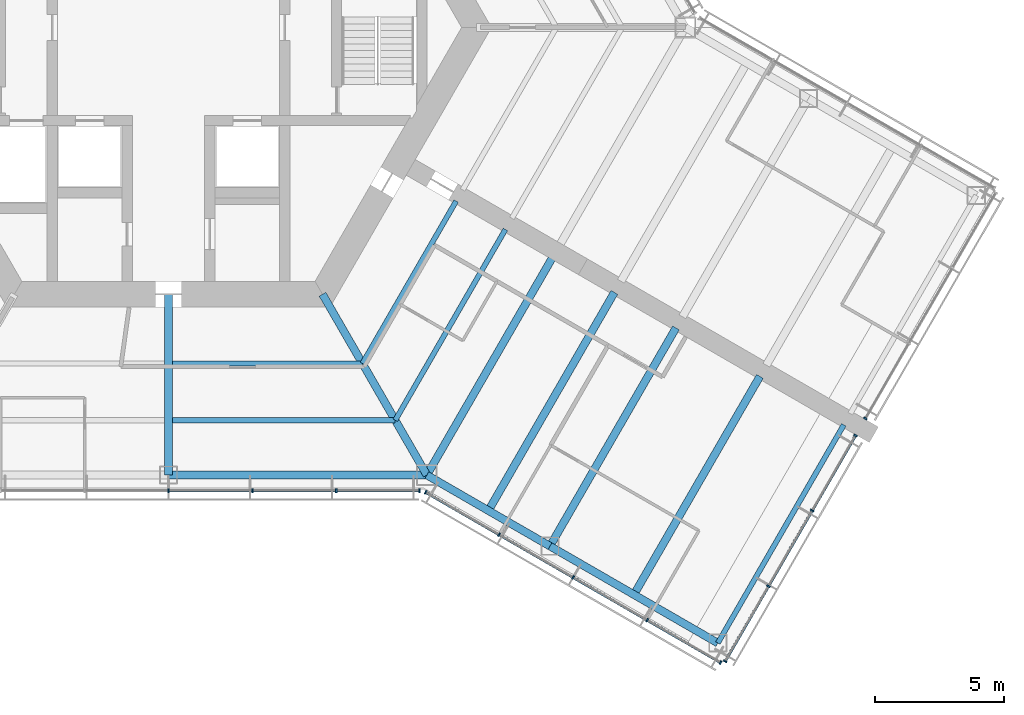
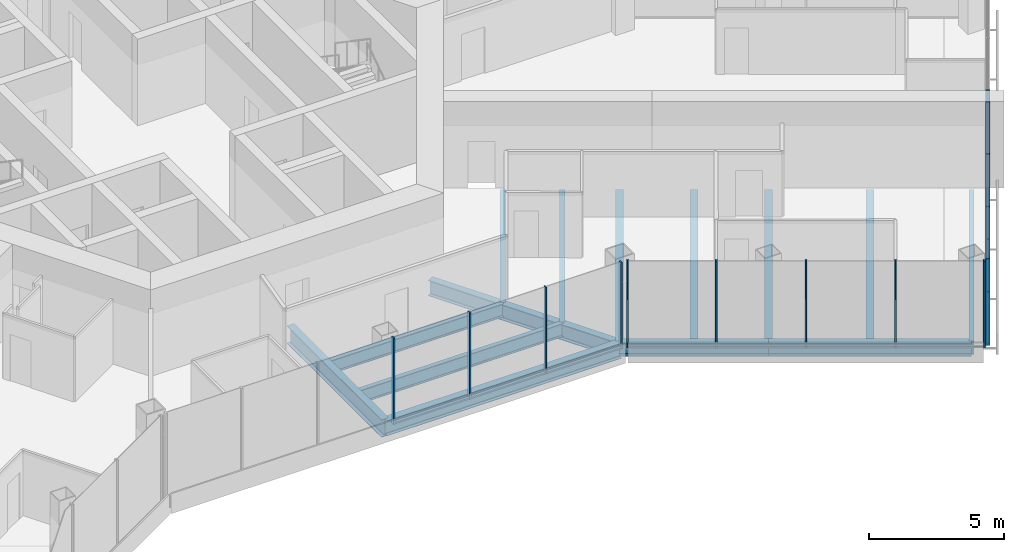
# One storey, part 5 of 18: 24 members, 14 beams, 4 elements without a shape of their own.
"""IFC4 building model written with IfcOpenShell, lengths in metres."""

import ifcopenshell
import ifcopenshell.guid

model = None  # the IFC model being written
_history = None  # IfcOwnerHistory: only IFC2X3 demands one
_inside = {}  # id of a spatial element -> (the spatial element, [elements in it])
_under = {}  # id of a project, library or spatial element -> (it, [spatial elements below it])
_declared = {}  # id of a project -> (the project, [libraries it declares])
_typed = {}  # id of a type object -> (the type object, [elements of that type])
_made_of = {}  # id of a material, layer set ... -> (it, [elements and type objects made of it])


def new_model(schema):
    """Start an empty IFC model of exactly this schema.

    Asked for "IFC4X3", IfcOpenShell would pick the latest addendum, in which some entities
    have other attributes; the version numbers below select the first issue.
    IFC2X3 requires an IfcOwnerHistory on every rooted entity: one is made here for all.
    """
    global model, _history
    if schema == "IFC4X3":
        model = ifcopenshell.file(schema_version=(4, 3, 0, 0))
    else:
        model = ifcopenshell.file(schema=schema)
    _inside.clear()
    _under.clear()
    _declared.clear()
    _typed.clear()
    _made_of.clear()
    _history = None
    if model.schema == "IFC2X3":
        org = make("IfcOrganization", Name="unknown")
        user = make(
            "IfcPersonAndOrganization",
            ThePerson=make("IfcPerson", FamilyName="unknown"),
            TheOrganization=org,
        )
        app = make(
            "IfcApplication",
            ApplicationDeveloper=org,
            Version="unknown",
            ApplicationFullName="unknown",
            ApplicationIdentifier="unknown",
        )
        _history = make(
            "IfcOwnerHistory",
            OwningUser=user,
            OwningApplication=app,
            ChangeAction="ADDED",
            CreationDate=0,
        )
    return model


def make(cls, **values):
    """One entity of the class cls with the attributes given. An attribute that is None is left unset."""
    return model.create_entity(
        cls, **{name: value for name, value in values.items() if value is not None}
    )


def rooted(cls, **values):
    """An entity with a GlobalId (a new one), such as an element, a storey or a relation."""
    return make(cls, GlobalId=ifcopenshell.guid.new(), OwnerHistory=_history, **values)


def si_unit(unit_type, name, prefix=None):
    """IfcSIUnit, for example si_unit("LENGTHUNIT", "METRE", prefix="MILLI")."""
    return make("IfcSIUnit", UnitType=unit_type, Prefix=prefix, Name=name)


def assignment(units):
    """IfcUnitAssignment: the units of a project."""
    return None if units is None else make("IfcUnitAssignment", Units=units)


def point(xyz):
    """IfcCartesianPoint."""
    return None if xyz is None else make("IfcCartesianPoint", Coordinates=xyz)


def direction(xyz):
    """IfcDirection."""
    return None if xyz is None else make("IfcDirection", DirectionRatios=xyz)


def frame(location, z_axis=None, x_axis=None):
    """IfcAxis2Placement3D, a coordinate frame: its origin and axes. An axis left out is left unset."""
    return make(
        "IfcAxis2Placement3D",
        Location=point(location),
        Axis=direction(z_axis),
        RefDirection=direction(x_axis),
    )


def frame_2d(location, x_axis=None):
    """IfcAxis2Placement2D, a coordinate frame in the plane: its origin and x axis."""
    return make(
        "IfcAxis2Placement2D", Location=point(location), RefDirection=direction(x_axis)
    )


def origin():
    """The frame at (0, 0, 0) with its axes left unset."""
    return frame((0.0, 0.0, 0.0))


def origin_2d():
    """The frame at (0, 0) in the plane with its x axis left unset."""
    return frame_2d((0.0, 0.0))


def place(relative_to, where):
    """IfcLocalPlacement: puts the frame where relative to a parent placement (None: the world)."""
    return make(
        "IfcLocalPlacement", PlacementRelTo=relative_to, RelativePlacement=where
    )


def context(
    kind, dimensions, precision=None, world=None, true_north=None, identifier=None
):
    """IfcGeometricRepresentationContext, for example the 3D "Model" context."""
    return make(
        "IfcGeometricRepresentationContext",
        ContextIdentifier=identifier,
        ContextType=kind,
        CoordinateSpaceDimension=dimensions,
        Precision=precision,
        WorldCoordinateSystem=world,
        TrueNorth=true_north,
    )


def subcontext(parent, identifier, kind, view, scale=None):
    """IfcGeometricRepresentationSubContext, for example "Body" below "Model"."""
    return make(
        "IfcGeometricRepresentationSubContext",
        ContextIdentifier=identifier,
        ContextType=kind,
        ParentContext=parent,
        TargetScale=scale,
        TargetView=view,
    )


def project(units=None, contexts=None):
    """IfcProject with its units and contexts."""
    return rooted(
        "IfcProject",
        Name="project",
        RepresentationContexts=contexts,
        UnitsInContext=assignment(units),
    )


def spatial(cls, under=None, at=None, **own):
    """A site, building, storey or space (cls), placed at a placement, below another one or the project."""
    s = rooted(cls, ObjectPlacement=at, **own)
    if under is not None:
        _under.setdefault(under.id(), (under, []))[1].append(s)
    return s


def profile(cls, at=None, kind="AREA", **sizes):
    """A parametric profile (cls). Its sizes go by their IFC names, for example OverallWidth=200.0."""
    return make(cls, ProfileType=kind, Position=at, **sizes)


def rectangle(**sizes):
    """IfcRectangleProfileDef."""
    return profile("IfcRectangleProfileDef", **sizes)


def i_section(**sizes):
    """IfcIShapeProfileDef."""
    return profile("IfcIShapeProfileDef", **sizes)


def extrude(swept, where, along, depth):
    """IfcExtrudedAreaSolid: the profile swept, set in the frame where, extruded along a direction by depth."""
    return make(
        "IfcExtrudedAreaSolid",
        SweptArea=swept,
        Position=where,
        ExtrudedDirection=direction(along),
        Depth=depth,
    )


def shape(context_of_items, identifier, shape_type, items):
    """IfcShapeRepresentation: the items that make up one representation, for example the "Body"."""
    return make(
        "IfcShapeRepresentation",
        ContextOfItems=context_of_items,
        RepresentationIdentifier=identifier,
        RepresentationType=shape_type,
        Items=items,
    )


def material(Name=None, Category=None):
    """IfcMaterial."""
    return make("IfcMaterial", Name=Name, Category=Category)


def material_profile(
    of_material, cross_section, Name=None, Category=None, Priority=None
):
    """IfcMaterialProfile: a cross section and its material."""
    return make(
        "IfcMaterialProfile",
        Name=Name,
        Material=of_material,
        Profile=cross_section,
        Priority=Priority,
        Category=Category,
    )


def profile_set(profiles, Name=None, composite=None):
    """IfcMaterialProfileSet."""
    return make(
        "IfcMaterialProfileSet",
        Name=Name,
        MaterialProfiles=profiles,
        CompositeProfile=composite,
    )


def made_of(thing, what):
    """Note that an element or type object is made of a material, layer set ...; save() writes the relation."""
    if what is not None:
        _made_of.setdefault(what.id(), (what, []))[1].append(thing)
    return thing


def type_object(cls, material=None, **own):
    """A type object (cls), such as IfcWallType, which elements share."""
    return made_of(rooted(cls, **own), material)


def element(
    cls,
    number,
    at=None,
    inside=None,
    cuts=None,
    type_object=None,
    material=None,
    context=None,
    identifier="Body",
    shape_type=None,
    held_by="IfcProductDefinitionShape",
    body=None,
    shapes=None,
    **own,
):
    """One element of the class cls, such as IfcWall. Its Tag is "e" and its number.

    at: its placement. inside: the storey or other place that contains it. cuts: it is an
    opening in that element (IfcRelVoidsElement). A single representation is given by context,
    identifier, shape_type and body (its items); several are given by shapes. held_by: the class
    of the entity that holds the representations. save() writes the other relations.
    """
    e = rooted(cls, Tag="e%d" % number, ObjectPlacement=at, **own)
    if body is not None:
        shapes = [shape(context, identifier, shape_type, body)]
    if shapes is not None:
        e.Representation = make(held_by, Representations=shapes)
    if inside is not None:
        _inside.setdefault(inside.id(), (inside, []))[1].append(e)
    if cuts is not None:
        rooted(
            "IfcRelVoidsElement", RelatingBuildingElement=cuts, RelatedOpeningElement=e
        )
    if type_object is not None:
        _typed.setdefault(type_object.id(), (type_object, []))[1].append(e)
    return made_of(e, material)


def aggregate(whole, parts):
    """IfcRelAggregates: a whole, such as a stair, and the parts it consists of."""
    return rooted("IfcRelAggregates", RelatingObject=whole, RelatedObjects=parts)


def save(model, path):
    """Write the relations noted so far, then the file.

    IfcRelAggregates (storeys below a building ...), IfcRelContainedInSpatialStructure (elements
    in a storey), IfcRelDefinesByType, IfcRelAssociatesMaterial and IfcRelDeclares: one each for
    every whole, place, type object, material and project.
    """
    for whole, parts in _under.values():
        aggregate(whole, parts)
    for where, things in _inside.values():
        rooted(
            "IfcRelContainedInSpatialStructure",
            RelatedElements=things,
            RelatingStructure=where,
        )
    for kind, things in _typed.values():
        rooted("IfcRelDefinesByType", RelatedObjects=things, RelatingType=kind)
    for what, things in _made_of.values():
        rooted("IfcRelAssociatesMaterial", RelatedObjects=things, RelatingMaterial=what)
    for by, libraries in _declared.values():
        rooted("IfcRelDeclares", RelatingContext=by, RelatedDefinitions=libraries)
    model.write(path)


model = new_model("IFC4")

# Units and contexts
model_context = context("Model", 3, precision=1e-05, world=origin(), true_north=direction((0.0, 1.0)))
body_context = subcontext(model_context, "Body", "Model", "MODEL_VIEW")
ifc_project = project(units=[si_unit("LENGTHUNIT", "METRE"), si_unit("AREAUNIT", "SQUARE_METRE"), si_unit("VOLUMEUNIT", "CUBIC_METRE"), si_unit("PLANEANGLEUNIT", "RADIAN"), si_unit("MASSUNIT", "GRAM", prefix="KILO")], contexts=[model_context])

# Site, building, storey
site_placement = place(None, origin())
site = spatial("IfcSite", under=ifc_project, at=site_placement, CompositionType="ELEMENT")
building_placement = place(site_placement, origin())
building = spatial("IfcBuilding", under=site, at=building_placement, Name="Kasaneha Research Tower", CompositionType="ELEMENT")
storey_placement = place(building_placement, frame((0.0, 0.0, 140.89990234375)))
storey = spatial("IfcBuildingStorey", under=building, at=storey_placement, Name="L35", CompositionType="ELEMENT", Elevation=140.89990234375)

# Beams
ifc_material_1 = material(Name="Steel SN490B", Category="steel")
ifc_material_profile_1 = material_profile(ifc_material_1, i_section(OverallWidth=0.199951171875, OverallDepth=0.60009765625, WebThickness=0.010986328125, FlangeThickness=0.01708984375, FilletRadius=0.012939453125, at=origin_2d()), Name="H-600x200x11x17")
ifc_profile_set_1 = profile_set([ifc_material_profile_1], Name="Steel SN490B")
beam_type_1 = type_object("IfcBeamType", Name="B1-3 secondary beam H-600x200x11x17", PredefinedType="JOIST", material=ifc_profile_set_1)
beam_1_placement = place(storey_placement, frame((7.505615234375, -13.0, -0.449951171875), z_axis=(-1.0, 0.0, 0.0), x_axis=(0.0, -1.0, 0.0)))
element("IfcBeam", 1, at=beam_1_placement, inside=storey, type_object=beam_type_1, Name="Secondary beam RS270R1 L35", PredefinedType="JOIST", context=body_context, shape_type="SweptSolid", body=[
    extrude(i_section(OverallWidth=0.199951171875, OverallDepth=0.60009765625, WebThickness=0.010986328125, FlangeThickness=0.01708984375, FilletRadius=0.012939453125, at=origin_2d()), origin(), (0.0, 0.0, 1.0), 7.355712890625),
])
beam_2_placement = place(storey_placement, frame((8.775634765625, -15.199951171875, -0.449951171875), z_axis=(-1.0, 0.0, 0.0), x_axis=(0.0, -1.0, 0.0)))
element("IfcBeam", 2, at=beam_2_placement, inside=storey, type_object=beam_type_1, Name="Secondary beam RS270R2 L35", PredefinedType="JOIST", context=body_context, shape_type="SweptSolid", body=[
    extrude(i_section(OverallWidth=0.199951171875, OverallDepth=0.60009765625, WebThickness=0.010986328125, FlangeThickness=0.01708984375, FilletRadius=0.012939453125, at=origin_2d()), origin(), (0.0, 0.0, 1.0), 8.625732421875),
])
beam_3_placement = place(storey_placement, frame((7.505615234375, -13.0, -0.449951171875), z_axis=(0.499993340521, 0.866029248602, 0.0), x_axis=(-0.866029248602, 0.499993340521, 0.0)))
element("IfcBeam", 3, at=beam_3_placement, inside=storey, type_object=beam_type_1, Name="Secondary beam RS330L1 L35", PredefinedType="JOIST", context=body_context, shape_type="SweptSolid", body=[
    extrude(i_section(OverallWidth=0.199951171875, OverallDepth=0.60009765625, WebThickness=0.010986328125, FlangeThickness=0.01708984375, FilletRadius=0.012939453125, at=origin_2d()), origin(), (0.0, 0.0, 1.0), 7.25537109375),
])
beam_4_placement = place(storey_placement, frame((8.775634765625, -15.199951171875, -0.449951171875), z_axis=(0.500004205306, 0.866022975836, 0.0), x_axis=(-0.866022975836, 0.500004205306, 0.0)))
element("IfcBeam", 4, at=beam_4_placement, inside=storey, type_object=beam_type_1, Name="Secondary beam RS330L2 L35", PredefinedType="JOIST", context=body_context, shape_type="SweptSolid", body=[
    extrude(i_section(OverallWidth=0.199951171875, OverallDepth=0.60009765625, WebThickness=0.010986328125, FlangeThickness=0.01708984375, FilletRadius=0.012939453125, at=origin_2d()), origin(), (0.0, 0.0, 1.0), 8.52587890625),
])
ifc_material_2 = material(Name="Steel SN490B", Category="steel")
ifc_material_profile_2 = material_profile(ifc_material_2, i_section(OverallWidth=0.300048828125, OverallDepth=0.58203125, WebThickness=0.011962890625, FlangeThickness=0.01708984375, FilletRadius=0.012939453125, at=origin_2d()), Name="H-582x300x12x17")
ifc_profile_set_2 = profile_set([ifc_material_profile_2], Name="Steel SN490B")
beam_type_2 = type_object("IfcBeamType", Name="B2-3 secondary beam H-582x300x12x17", PredefinedType="JOIST", material=ifc_profile_set_2)
for number, where, z_axis, x_axis, name in (
    (5, (12.381591796875, -18.695556640625, -0.44091796875), (0.499995560238, 0.866027967067, 0.0), (-0.866027967067, 0.499995560238, 0.0), "Secondary beam WBCP1 L35"),
    (6, (18.0107421875, -21.945556640625, -0.44091796875), (0.499995560238, 0.866027967067, 0.0), (-0.866027967067, 0.499995560238, 0.0), "Secondary beam WBCP2 L35"),
):
    element("IfcBeam", number, at=place(storey_placement, frame(where, z_axis=z_axis, x_axis=x_axis)), inside=storey, type_object=beam_type_2, Name=name, PredefinedType="JOIST", context=body_context, shape_type="SweptSolid", body=[
        extrude(i_section(OverallWidth=0.300048828125, OverallDepth=0.58203125, WebThickness=0.011962890625, FlangeThickness=0.01708984375, FilletRadius=0.012939453125, at=origin_2d()), origin(), (0.0, 0.0, 1.0), 9.75),
    ])

# Curtain wall, members
ifc_material_3 = material(Name="Glass and aluminium", Category="aluminium")
curtain_wall_type = type_object("IfcCurtainWallType", Name="Mid-rise office curtain wall", PredefinedType="USERDEFINED", material=ifc_material_3)
curtain_wall_1_placement = place(storey_placement, origin())
curtain_wall_1 = element("IfcCurtainWall", 7, at=curtain_wall_1_placement, inside=storey, type_object=curtain_wall_type, Name="CW-O2 L35 run 01a", ObjectType="UNITISED CURTAIN WALL", PredefinedType="USERDEFINED")
ifc_material_4 = material(Name="Aluminium 6063-T6", Category="aluminium")
ifc_material_profile_3 = material_profile(ifc_material_4, rectangle(XDim=0.06005859375, YDim=0.14990234375, at=origin_2d()), Name="CW-O2 mullion 60x150")
ifc_profile_set_3 = profile_set([ifc_material_profile_3], Name="Aluminium 6063-T6")
member_type_1 = type_object("IfcMemberType", Name="CW-O2 mullion", PredefinedType="MULLION", material=ifc_profile_set_3)
member_1_placement = place(storey_placement, frame((0.0, -17.92041015625, 0.0), z_axis=(0.0, 0.0, 1.0), x_axis=(1.0, 0.0, 0.0)))
member_1 = element("IfcMember", 8, at=member_1_placement, type_object=member_type_1, Name="CW-O2 mullion 4", PredefinedType="MULLION", context=body_context, shape_type="SweptSolid", body=[
    extrude(rectangle(XDim=0.06005859375, YDim=0.14990234375, at=origin_2d()), origin(), (0.0, 0.0, 1.0), 3.900146484375),
])
member_2_placement = place(storey_placement, frame((3.246337890625, -17.92041015625, 0.0), z_axis=(0.0, 0.0, 1.0), x_axis=(1.0, 0.0, 0.0)))
member_2 = element("IfcMember", 9, at=member_2_placement, type_object=member_type_1, Name="CW-O2 mullion 5", PredefinedType="MULLION", context=body_context, shape_type="SweptSolid", body=[
    extrude(rectangle(XDim=0.06005859375, YDim=0.14990234375, at=origin_2d()), origin(), (0.0, 0.0, 1.0), 3.900146484375),
])
member_3_placement = place(storey_placement, frame((6.492919921875, -17.92041015625, 0.0), z_axis=(0.0, 0.0, 1.0), x_axis=(1.0, 0.0, 0.0)))
member_3 = element("IfcMember", 10, at=member_3_placement, type_object=member_type_1, Name="CW-O2 mullion 6", PredefinedType="MULLION", context=body_context, shape_type="SweptSolid", body=[
    extrude(rectangle(XDim=0.06005859375, YDim=0.14990234375, at=origin_2d()), origin(), (0.0, 0.0, 1.0), 3.900146484375),
])
member_4_placement = place(storey_placement, frame((9.709228515625, -17.92041015625, 0.0), z_axis=(0.0, 0.0, 1.0), x_axis=(1.0, 0.0, 0.0)))
member_4 = element("IfcMember", 11, at=member_4_placement, type_object=member_type_1, Name="CW-O2 mullion 7", PredefinedType="MULLION", context=body_context, shape_type="SweptSolid", body=[
    extrude(rectangle(XDim=0.06005859375, YDim=0.14990234375, at=origin_2d()), origin(), (0.0, 0.0, 1.0), 3.900146484375),
])

curtain_wall_2_placement = place(storey_placement, origin())
curtain_wall_2 = element("IfcCurtainWall", 12, at=curtain_wall_2_placement, inside=storey, type_object=curtain_wall_type, Name="CW-O2 L35 run 02a", ObjectType="UNITISED CURTAIN WALL", PredefinedType="USERDEFINED")
member_5_placement = place(storey_placement, frame((9.951904296875, -17.985595703125, 0.0), z_axis=(0.0, 0.0, 1.0), x_axis=(0.866025411464, -0.499999986699, 0.0)))
member_5 = element("IfcMember", 13, at=member_5_placement, type_object=member_type_1, Name="CW-O2 mullion 1", PredefinedType="MULLION", context=body_context, shape_type="SweptSolid", body=[
    extrude(rectangle(XDim=0.06005859375, YDim=0.14990234375, at=origin_2d()), origin(), (0.0, 0.0, 1.0), 3.900146484375),
])
member_6_placement = place(storey_placement, frame((12.792236328125, -19.62548828125, 0.0), z_axis=(0.0, 0.0, 1.0), x_axis=(0.866025411464, -0.499999986699, 0.0)))
member_6 = element("IfcMember", 14, at=member_6_placement, type_object=member_type_1, Name="CW-O2 mullion 2", PredefinedType="MULLION", context=body_context, shape_type="SweptSolid", body=[
    extrude(rectangle(XDim=0.06005859375, YDim=0.14990234375, at=origin_2d()), origin(), (0.0, 0.0, 1.0), 3.900146484375),
])
member_7_placement = place(storey_placement, frame((15.65869140625, -21.2802734375, 0.0), z_axis=(0.0, 0.0, 1.0), x_axis=(0.866025411464, -0.499999986699, 0.0)))
member_7 = element("IfcMember", 15, at=member_7_placement, type_object=member_type_1, Name="CW-O2 mullion 3", PredefinedType="MULLION", context=body_context, shape_type="SweptSolid", body=[
    extrude(rectangle(XDim=0.06005859375, YDim=0.14990234375, at=origin_2d()), origin(), (0.0, 0.0, 1.0), 3.900146484375),
])
member_8_placement = place(storey_placement, frame((18.52490234375, -22.935302734375, 0.0), z_axis=(0.0, 0.0, 1.0), x_axis=(0.866025411464, -0.499999986699, 0.0)))
member_8 = element("IfcMember", 16, at=member_8_placement, type_object=member_type_1, Name="CW-O2 mullion 4", PredefinedType="MULLION", context=body_context, shape_type="SweptSolid", body=[
    extrude(rectangle(XDim=0.06005859375, YDim=0.14990234375, at=origin_2d()), origin(), (0.0, 0.0, 1.0), 3.900146484375),
])
member_9_placement = place(storey_placement, frame((21.365478515625, -24.5751953125, 0.0), z_axis=(0.0, 0.0, 1.0), x_axis=(0.866025411464, -0.499999986699, 0.0)))
member_9 = element("IfcMember", 17, at=member_9_placement, type_object=member_type_1, Name="CW-O2 mullion 5", PredefinedType="MULLION", context=body_context, shape_type="SweptSolid", body=[
    extrude(rectangle(XDim=0.06005859375, YDim=0.14990234375, at=origin_2d()), origin(), (0.0, 0.0, 1.0), 3.900146484375),
])

curtain_wall_3_placement = place(storey_placement, origin())
curtain_wall_3 = element("IfcCurtainWall", 18, at=curtain_wall_3_placement, inside=storey, type_object=curtain_wall_type, Name="CW-O2 L35 run 03a", ObjectType="UNITISED CURTAIN WALL", PredefinedType="USERDEFINED")
member_10_placement = place(storey_placement, frame((21.54296875, -24.527587890625, 0.0), z_axis=(0.0, 0.0, 1.0), x_axis=(0.500000011442, 0.866025397178, 0.0)))
member_10 = element("IfcMember", 19, at=member_10_placement, type_object=member_type_1, Name="CW-O2 mullion 1", PredefinedType="MULLION", context=body_context, shape_type="SweptSolid", body=[
    extrude(rectangle(XDim=0.06005859375, YDim=0.14990234375, at=origin_2d()), origin(), (0.0, 0.0, 1.0), 3.900146484375),
])
member_11_placement = place(storey_placement, frame((23.2197265625, -21.62353515625, 0.0), z_axis=(0.0, 0.0, 1.0), x_axis=(0.500000011442, 0.866025397178, 0.0)))
member_11 = element("IfcMember", 20, at=member_11_placement, type_object=member_type_1, Name="CW-O2 mullion 2", PredefinedType="MULLION", context=body_context, shape_type="SweptSolid", body=[
    extrude(rectangle(XDim=0.06005859375, YDim=0.14990234375, at=origin_2d()), origin(), (0.0, 0.0, 1.0), 3.900146484375),
])
member_12_placement = place(storey_placement, frame((24.911376953125, -18.693359375, 0.0), z_axis=(0.0, 0.0, 1.0), x_axis=(0.500000011442, 0.866025397178, 0.0)))
member_12 = element("IfcMember", 21, at=member_12_placement, type_object=member_type_1, Name="CW-O2 mullion 3", PredefinedType="MULLION", context=body_context, shape_type="SweptSolid", body=[
    extrude(rectangle(XDim=0.06005859375, YDim=0.14990234375, at=origin_2d()), origin(), (0.0, 0.0, 1.0), 3.900146484375),
])
member_13_placement = place(storey_placement, frame((26.587890625, -15.789306640625, 0.0), z_axis=(0.0, 0.0, 1.0), x_axis=(0.500000011442, 0.866025397178, 0.0)))
member_13 = element("IfcMember", 22, at=member_13_placement, type_object=member_type_1, Name="CW-O2 mullion 4", PredefinedType="MULLION", context=body_context, shape_type="SweptSolid", body=[
    extrude(rectangle(XDim=0.06005859375, YDim=0.14990234375, at=origin_2d()), origin(), (0.0, 0.0, 1.0), 3.900146484375),
])

# Curtain wall, member
curtain_wall_4_placement = place(storey_placement, origin())
curtain_wall_4 = element("IfcCurtainWall", 23, at=curtain_wall_4_placement, inside=storey, type_object=curtain_wall_type, Name="CW-O2 L35 run 04a", ObjectType="UNITISED CURTAIN WALL", PredefinedType="USERDEFINED")
member_14_placement = place(storey_placement, frame((26.968017578125, -15.131103515625, 0.0), z_axis=(0.0, 0.0, 1.0), x_axis=(0.500000011442, 0.866025397178, 0.0)))
member_14 = element("IfcMember", 24, at=member_14_placement, type_object=member_type_1, Name="CW-O2 mullion 1", PredefinedType="MULLION", context=body_context, shape_type="SweptSolid", body=[
    extrude(rectangle(XDim=0.06005859375, YDim=0.14990234375, at=origin_2d()), origin(), (0.0, 0.0, 1.0), 3.900146484375),
])
aggregate(curtain_wall_4, [member_14])

# Member
ifc_material_5 = material(Name="Aluminium 6063-T6", Category="aluminium")
ifc_material_profile_4 = material_profile(ifc_material_5, rectangle(XDim=0.110107421875, YDim=0.06005859375, at=origin_2d()), Name="CW-O2 transom 110x60")
ifc_profile_set_4 = profile_set([ifc_material_profile_4], Name="Aluminium 6063-T6")
member_type_2 = type_object("IfcMemberType", Name="CW-O2 transom", PredefinedType="USERDEFINED", material=ifc_profile_set_4)
member_15_placement = place(storey_placement, frame((0.030029296875, -17.92041015625, 0.030029296875), z_axis=(1.0, 0.0, 0.0), x_axis=(0.0, 1.0, 0.0)))
member_15 = element("IfcMember", 25, at=member_15_placement, type_object=member_type_2, Name="CW-O2 transom 4", ObjectType="TRANSOM", PredefinedType="USERDEFINED", context=body_context, shape_type="SweptSolid", body=[
    extrude(rectangle(XDim=0.110107421875, YDim=0.06005859375, at=origin_2d()), origin(), (0.0, 0.0, 1.0), 3.186279296875),
])

member_16_placement = place(storey_placement, frame((3.2763671875, -17.92041015625, 0.030029296875), z_axis=(1.0, 0.0, 0.0), x_axis=(0.0, 1.0, 0.0)))
member_16 = element("IfcMember", 26, at=member_16_placement, type_object=member_type_2, Name="CW-O2 transom 5", ObjectType="TRANSOM", PredefinedType="USERDEFINED", context=body_context, shape_type="SweptSolid", body=[
    extrude(rectangle(XDim=0.110107421875, YDim=0.06005859375, at=origin_2d()), origin(), (0.0, 0.0, 1.0), 3.1865234375),
])

member_17_placement = place(storey_placement, frame((6.522705078125, -17.92041015625, 0.030029296875), z_axis=(1.0, 0.0, 0.0), x_axis=(0.0, 1.0, 0.0)))
member_17 = element("IfcMember", 27, at=member_17_placement, type_object=member_type_2, Name="CW-O2 transom 6", ObjectType="TRANSOM", PredefinedType="USERDEFINED", context=body_context, shape_type="SweptSolid", body=[
    extrude(rectangle(XDim=0.110107421875, YDim=0.06005859375, at=origin_2d()), origin(), (0.0, 0.0, 1.0), 3.156494140625),
])

aggregate(curtain_wall_1, [member_1, member_2, member_3, member_4, member_15, member_16, member_17])

member_18_placement = place(storey_placement, frame((9.977783203125, -18.00048828125, 0.030029296875), z_axis=(0.866022692473, -0.500004696101, 0.0), x_axis=(0.500004696101, 0.866022692473, 0.0)))
member_18 = element("IfcMember", 28, at=member_18_placement, type_object=member_type_2, Name="CW-O2 transom 1", ObjectType="TRANSOM", PredefinedType="USERDEFINED", context=body_context, shape_type="SweptSolid", body=[
    extrude(rectangle(XDim=0.110107421875, YDim=0.06005859375, at=origin_2d()), origin(), (0.0, 0.0, 1.0), 3.2197265625),
])

member_19_placement = place(storey_placement, frame((12.818115234375, -19.640380859375, 0.030029296875), z_axis=(0.866015446554, -0.500017246033, 0.0), x_axis=(0.500017246033, 0.866015446554, 0.0)))
member_19 = element("IfcMember", 29, at=member_19_placement, type_object=member_type_2, Name="CW-O2 transom 2", ObjectType="TRANSOM", PredefinedType="USERDEFINED", context=body_context, shape_type="SweptSolid", body=[
    extrude(rectangle(XDim=0.110107421875, YDim=0.06005859375, at=origin_2d()), origin(), (0.0, 0.0, 1.0), 3.25),
])

member_20_placement = place(storey_placement, frame((15.6845703125, -21.29541015625, 0.030029296875), z_axis=(0.86604797581, -0.499960902066, 0.0), x_axis=(0.499960902066, 0.86604797581, 0.0)))
member_20 = element("IfcMember", 30, at=member_20_placement, type_object=member_type_2, Name="CW-O2 transom 3", ObjectType="TRANSOM", PredefinedType="USERDEFINED", context=body_context, shape_type="SweptSolid", body=[
    extrude(rectangle(XDim=0.110107421875, YDim=0.06005859375, at=origin_2d()), origin(), (0.0, 0.0, 1.0), 3.249755859375),
])

member_21_placement = place(storey_placement, frame((18.551025390625, -22.9501953125, 0.030029296875), z_axis=(0.866022692473, -0.500004696101, 0.0), x_axis=(0.500004696101, 0.866022692473, 0.0)))
member_21 = element("IfcMember", 31, at=member_21_placement, type_object=member_type_2, Name="CW-O2 transom 4", ObjectType="TRANSOM", PredefinedType="USERDEFINED", context=body_context, shape_type="SweptSolid", body=[
    extrude(rectangle(XDim=0.110107421875, YDim=0.06005859375, at=origin_2d()), origin(), (0.0, 0.0, 1.0), 3.2197265625),
])

aggregate(curtain_wall_2, [member_5, member_6, member_7, member_8, member_9, member_18, member_19, member_20, member_21])

member_22_placement = place(storey_placement, frame((21.557861328125, -24.50146484375, 0.030029296875), z_axis=(0.500021914551, 0.866012751043, 0.0), x_axis=(-0.866012751043, 0.500021914551, 0.0)))
member_22 = element("IfcMember", 32, at=member_22_placement, type_object=member_type_2, Name="CW-O2 transom 1", ObjectType="TRANSOM", PredefinedType="USERDEFINED", context=body_context, shape_type="SweptSolid", body=[
    extrude(rectangle(XDim=0.110107421875, YDim=0.06005859375, at=origin_2d()), origin(), (0.0, 0.0, 1.0), 3.293212890625),
])

member_23_placement = place(storey_placement, frame((23.234619140625, -21.597412109375, 0.030029296875), z_axis=(0.500010745865, 0.866019199568, 0.0), x_axis=(-0.866019199568, 0.500010745865, 0.0)))
member_23 = element("IfcMember", 33, at=member_23_placement, type_object=member_type_2, Name="CW-O2 transom 2", ObjectType="TRANSOM", PredefinedType="USERDEFINED", context=body_context, shape_type="SweptSolid", body=[
    extrude(rectangle(XDim=0.110107421875, YDim=0.06005859375, at=origin_2d()), origin(), (0.0, 0.0, 1.0), 3.3232421875),
])

member_24_placement = place(storey_placement, frame((24.92626953125, -18.66748046875, 0.030029296875), z_axis=(0.500021914551, 0.866012751043, 0.0), x_axis=(-0.866012751043, 0.500021914551, 0.0)))
member_24 = element("IfcMember", 34, at=member_24_placement, type_object=member_type_2, Name="CW-O2 transom 3", ObjectType="TRANSOM", PredefinedType="USERDEFINED", context=body_context, shape_type="SweptSolid", body=[
    extrude(rectangle(XDim=0.110107421875, YDim=0.06005859375, at=origin_2d()), origin(), (0.0, 0.0, 1.0), 3.293212890625),
])

aggregate(curtain_wall_3, [member_10, member_11, member_12, member_13, member_22, member_23, member_24])

# Beams
ifc_material_6 = material(Name="Steel SN490B", Category="steel")
ifc_material_profile_5 = material_profile(ifc_material_6, i_section(OverallWidth=0.300048828125, OverallDepth=0.699951171875, WebThickness=0.012939453125, FlangeThickness=0.02392578125, FilletRadius=0.01806640625, at=origin_2d()), Name="H-700x300x13x24")
ifc_profile_set_5 = profile_set([ifc_material_profile_5], Name="Steel SN490B")
beam_type_3 = type_object("IfcBeamType", Name="G1-3 radial girder H-700x300x13x24", PredefinedType="BEAM", material=ifc_profile_set_5)
beam_5_placement = place(storey_placement, frame((5.961181640625, -10.324951171875, -0.5), z_axis=(0.49999105496, -0.866030568144, 0.0), x_axis=(0.866030568144, 0.49999105496, 0.0)))
element("IfcBeam", 35, at=beam_5_placement, inside=storey, type_object=beam_type_3, Name="Radial girder RV300 L35", PredefinedType="BEAM", context=body_context, shape_type="SweptSolid", body=[
    extrude(i_section(OverallWidth=0.300048828125, OverallDepth=0.699951171875, WebThickness=0.012939453125, FlangeThickness=0.02392578125, FilletRadius=0.01806640625, at=origin_2d()), origin(), (0.0, 0.0, 1.0), 8.077880859375),
])
ifc_material_7 = material(Name="Steel SN490B", Category="steel")
ifc_material_profile_6 = material_profile(ifc_material_7, i_section(OverallWidth=0.300048828125, OverallDepth=0.800048828125, WebThickness=0.013916015625, FlangeThickness=0.02587890625, FilletRadius=0.01806640625, at=origin_2d()), Name="H-800x300x14x26")
ifc_profile_set_6 = profile_set([ifc_material_profile_6], Name="Steel SN490B")
beam_type_4 = type_object("IfcBeamType", Name="G2-3 radial girder H-800x300x14x26", PredefinedType="BEAM", material=ifc_profile_set_6)
beam_6_placement = place(storey_placement, frame((0.0, -10.324951171875, -0.5498046875), z_axis=(0.0, -1.0, 0.0), x_axis=(1.0, 0.0, 0.0)))
element("IfcBeam", 36, at=beam_6_placement, inside=storey, type_object=beam_type_4, Name="Radial girder RM270 L35", PredefinedType="BEAM", context=body_context, shape_type="SweptSolid", body=[
    extrude(i_section(OverallWidth=0.300048828125, OverallDepth=0.800048828125, WebThickness=0.013916015625, FlangeThickness=0.02587890625, FilletRadius=0.01806640625, at=origin_2d()), origin(), (0.0, 0.0, 1.0), 6.99560546875),
])
ifc_material_8 = material(Name="Steel SN490B", Category="steel")
ifc_material_profile_7 = material_profile(ifc_material_8, i_section(OverallWidth=0.300048828125, OverallDepth=0.69189453125, WebThickness=0.012939453125, FlangeThickness=0.02001953125, FilletRadius=0.01806640625, at=origin_2d()), Name="H-692x300x13x20")
ifc_profile_set_7 = profile_set([ifc_material_profile_7], Name="Steel SN490B")
beam_type_5 = type_object("IfcBeamType", Name="G3-3 plate edge girder H-692x300x13x20", PredefinedType="BEAM", material=ifc_profile_set_7)
beam_7_placement = place(storey_placement, frame((10.0, -17.320556640625, -0.495849609375), z_axis=(0.499995560238, 0.866027967067, 0.0), x_axis=(-0.866027967067, 0.499995560238, 0.0)))
element("IfcBeam", 37, at=beam_7_placement, inside=storey, type_object=beam_type_5, Name="Plate edge girder PECP L35", PredefinedType="BEAM", context=body_context, shape_type="SweptSolid", body=[
    extrude(i_section(OverallWidth=0.300048828125, OverallDepth=0.69189453125, WebThickness=0.012939453125, FlangeThickness=0.02001953125, FilletRadius=0.01806640625, at=origin_2d()), origin(), (0.0, 0.0, 1.0), 9.75),
])
ifc_material_9 = material(Name="Steel SN490B", Category="steel")
ifc_material_profile_8 = material_profile(ifc_material_9, i_section(OverallWidth=0.300048828125, OverallDepth=0.699951171875, WebThickness=0.012939453125, FlangeThickness=0.02392578125, FilletRadius=0.01806640625, at=origin_2d()), Name="H-700x300x13x24")
ifc_profile_set_8 = profile_set([ifc_material_profile_8], Name="Steel SN490B")
beam_type_6 = type_object("IfcBeamType", Name="G4-3 wing girder H-700x300x13x24", PredefinedType="BEAM", material=ifc_profile_set_8)
beam_8_placement = place(storey_placement, frame((14.76318359375, -20.070556640625, -0.5), z_axis=(0.499995560238, 0.866027967067, 0.0), x_axis=(-0.866027967067, 0.499995560238, 0.0)))
element("IfcBeam", 38, at=beam_8_placement, inside=storey, type_object=beam_type_6, Name="Wing girder WGCP L35", PredefinedType="BEAM", context=body_context, shape_type="SweptSolid", body=[
    extrude(i_section(OverallWidth=0.300048828125, OverallDepth=0.699951171875, WebThickness=0.012939453125, FlangeThickness=0.02392578125, FilletRadius=0.01806640625, at=origin_2d()), origin(), (0.0, 0.0, 1.0), 9.75),
])
ifc_material_10 = material(Name="Steel SN490B", Category="steel")
ifc_material_profile_9 = material_profile(ifc_material_10, i_section(OverallWidth=0.300048828125, OverallDepth=0.69189453125, WebThickness=0.012939453125, FlangeThickness=0.02001953125, FilletRadius=0.01806640625, at=origin_2d()), Name="H-692x300x13x20")
ifc_profile_set_9 = profile_set([ifc_material_profile_9], Name="Steel SN490B")
beam_type_7 = type_object("IfcBeamType", Name="SB1-3 spandrel beam H-692x300x13x20", PredefinedType="SPANDREL", material=ifc_profile_set_9)
beam_9_placement = place(storey_placement, frame((10.0, -17.320556640625, -0.495849609375), z_axis=(-1.0, 0.0, 0.0), x_axis=(0.0, -1.0, 0.0)))
element("IfcBeam", 39, at=beam_9_placement, inside=storey, type_object=beam_type_7, Name="Spandrel beam SR270R L35", PredefinedType="SPANDREL", context=body_context, shape_type="SweptSolid", body=[
    extrude(i_section(OverallWidth=0.300048828125, OverallDepth=0.69189453125, WebThickness=0.012939453125, FlangeThickness=0.02001953125, FilletRadius=0.01806640625, at=origin_2d()), origin(), (0.0, 0.0, 1.0), 10.0),
])
ifc_material_11 = material(Name="Steel SN490B", Category="steel")
ifc_material_profile_10 = material_profile(ifc_material_11, i_section(OverallWidth=0.300048828125, OverallDepth=0.58203125, WebThickness=0.011962890625, FlangeThickness=0.01708984375, FilletRadius=0.012939453125, at=origin_2d()), Name="H-582x300x12x17")
ifc_profile_set_10 = profile_set([ifc_material_profile_10], Name="Steel SN490B")
beam_type_8 = type_object("IfcBeamType", Name="SB2-3 spandrel beam H-582x300x12x17", PredefinedType="SPANDREL", material=ifc_profile_set_10)
beam_10_placement = place(storey_placement, frame((10.0, -17.320556640625, -0.44091796875), z_axis=(0.866027397988, -0.499996545922, 0.0), x_axis=(0.499996545922, 0.866027397988, 0.0)))
element("IfcBeam", 40, at=beam_10_placement, inside=storey, type_object=beam_type_8, Name="Spandrel beam WSCP1 L35", PredefinedType="SPANDREL", context=body_context, shape_type="SweptSolid", body=[
    extrude(i_section(OverallWidth=0.300048828125, OverallDepth=0.58203125, WebThickness=0.011962890625, FlangeThickness=0.01708984375, FilletRadius=0.012939453125, at=origin_2d()), origin(), (0.0, 0.0, 1.0), 5.5),
])
beam_11_placement = place(storey_placement, frame((14.76318359375, -20.070556640625, -0.44091796875), z_axis=(0.866022959057, -0.500004234368, 0.0), x_axis=(0.500004234368, 0.866022959057, 0.0)))
element("IfcBeam", 41, at=beam_11_placement, inside=storey, type_object=beam_type_8, Name="Spandrel beam WSCP2 L35", PredefinedType="SPANDREL", context=body_context, shape_type="SweptSolid", body=[
    extrude(i_section(OverallWidth=0.300048828125, OverallDepth=0.58203125, WebThickness=0.011962890625, FlangeThickness=0.01708984375, FilletRadius=0.012939453125, at=origin_2d()), origin(), (0.0, 0.0, 1.0), 7.5),
])
ifc_material_12 = material(Name="Steel SN490B", Category="steel")
ifc_material_profile_11 = material_profile(ifc_material_12, i_section(OverallWidth=0.199951171875, OverallDepth=0.60009765625, WebThickness=0.010986328125, FlangeThickness=0.01708984375, FilletRadius=0.012939453125, at=origin_2d()), Name="H-600x200x11x17")
ifc_profile_set_11 = profile_set([ifc_material_profile_11], Name="Steel SN490B")
beam_type_9 = type_object("IfcBeamType", Name="SB3-3 spandrel beam H-600x200x11x17", PredefinedType="SPANDREL", material=ifc_profile_set_11)
beam_12_placement = place(storey_placement, frame((21.25830078125, -23.820556640625, -0.449951171875), z_axis=(0.499995560238, 0.866027967067, 0.0), x_axis=(-0.866027967067, 0.499995560238, 0.0)))
element("IfcBeam", 42, at=beam_12_placement, inside=storey, type_object=beam_type_9, Name="Spandrel beam WTCP L35", PredefinedType="SPANDREL", context=body_context, shape_type="SweptSolid", body=[
    extrude(i_section(OverallWidth=0.199951171875, OverallDepth=0.60009765625, WebThickness=0.010986328125, FlangeThickness=0.01708984375, FilletRadius=0.012939453125, at=origin_2d()), origin(), (0.0, 0.0, 1.0), 9.75),
])

save(model, "model.ifc")
